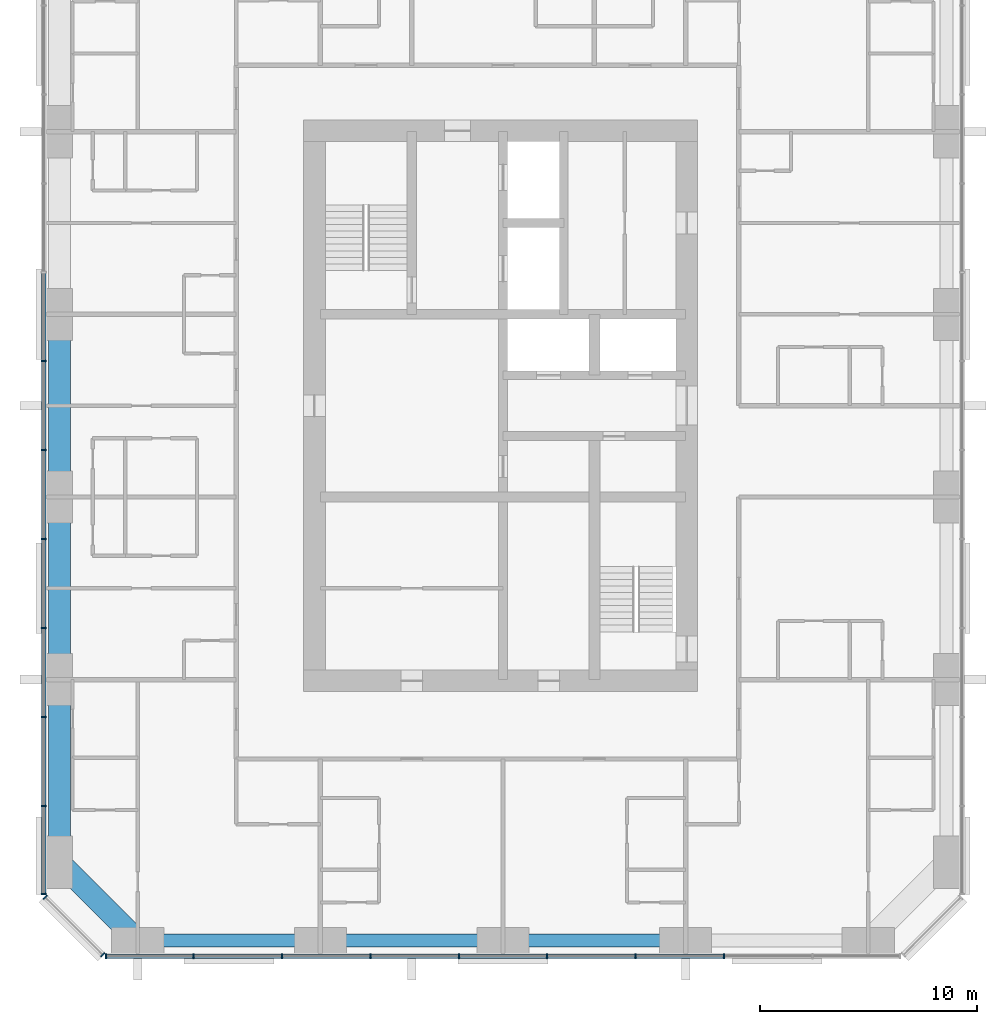
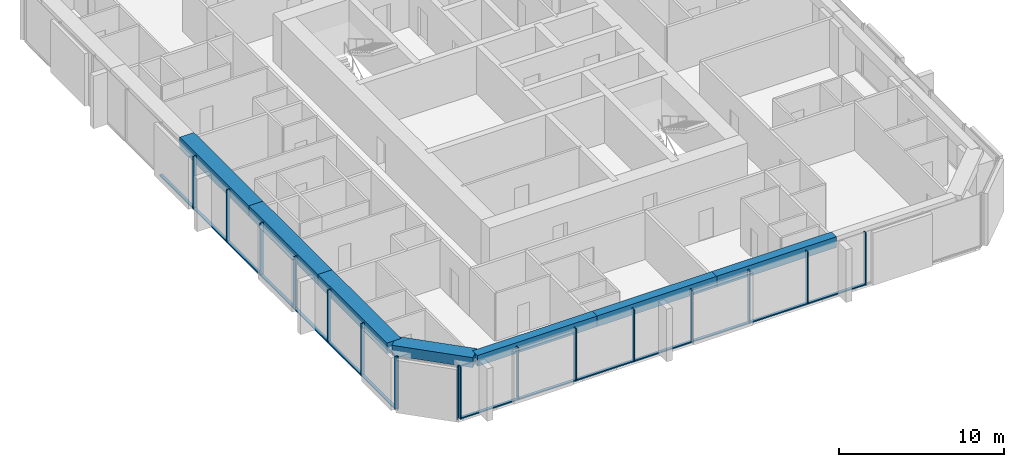
# One storey, part 2 of 12: 31 members, 7 beams, 3 elements without a shape of their own.
"""IFC4 building model written with IfcOpenShell, lengths in metres."""

from ifc_helpers import new_model, si_unit, direction, frame, origin, origin_2d, place, context, subcontext, project, spatial, rectangle, extrude, material, material_profile, profile_set, type_object, element, aggregate, save


model = new_model("IFC4")

# Units and contexts
model_context = context("Model", 3, precision=1e-05, world=origin(), true_north=direction((0.0, 1.0)))
body_context = subcontext(model_context, "Body", "Model", "MODEL_VIEW")
ifc_project = project(units=[si_unit("LENGTHUNIT", "METRE"), si_unit("AREAUNIT", "SQUARE_METRE"), si_unit("VOLUMEUNIT", "CUBIC_METRE"), si_unit("PLANEANGLEUNIT", "RADIAN"), si_unit("MASSUNIT", "GRAM", prefix="KILO")], contexts=[model_context])

# Site, building, storey
site_placement = place(None, origin())
site = spatial("IfcSite", under=ifc_project, at=site_placement, CompositionType="ELEMENT")
building_placement = place(site_placement, origin())
building = spatial("IfcBuilding", under=site, at=building_placement, Name="Dunama Terrace Hotel", CompositionType="ELEMENT")
storey_placement = place(building_placement, frame((0.0, 0.0, 229.5)))
storey = spatial("IfcBuildingStorey", under=building, at=storey_placement, Name="L59", CompositionType="ELEMENT", Elevation=229.5)

# Curtain wall, members
ifc_material_1 = material(Name="Aluminium curtain wall system", Category="aluminium")
curtain_wall_type = type_object("IfcCurtainWallType", Name="Unitised fritted glass wall CW-D", PredefinedType="NOTDEFINED", material=ifc_material_1)
curtain_wall_1_placement = place(storey_placement, origin())
curtain_wall_1 = element("IfcCurtainWall", 1, at=curtain_wall_1_placement, inside=storey, type_object=curtain_wall_type, Name="Unitised fritted glass wall CW-D L59", PredefinedType="NOTDEFINED")
ifc_material_2 = material(Name="Aluminium mullion", Category="aluminium")
ifc_material_profile_1 = material_profile(ifc_material_2, rectangle(XDim=0.070068359375, YDim=0.239990234375, at=origin_2d()), Name="CWD MULLION 70X240")
ifc_profile_set_1 = profile_set([ifc_material_profile_1], Name="Aluminium mullion")
member_type_1 = type_object("IfcMemberType", Name="CWD mullion 70x240", PredefinedType="MULLION", material=ifc_profile_set_1)
member_1_placement = place(storey_placement, frame((15.3349609375, 4.080078125, 0.0), z_axis=(0.0, 0.0, 1.0), x_axis=(1.0, 0.0, 0.0)))
member_1 = element("IfcMember", 2, at=member_1_placement, type_object=member_type_1, Name="CWD mullion", PredefinedType="MULLION", context=body_context, shape_type="SweptSolid", body=[
    extrude(rectangle(XDim=0.070068359375, YDim=0.239990234375, at=origin_2d()), origin(), (0.0, 0.0, 1.0), 3.89990234375),
])
member_2_placement = place(storey_placement, frame((19.366943359375, 4.080078125, 0.0), z_axis=(0.0, 0.0, 1.0), x_axis=(1.0, 0.0, 0.0)))
member_2 = element("IfcMember", 3, at=member_2_placement, type_object=member_type_1, Name="CWD mullion", PredefinedType="MULLION", context=body_context, shape_type="SweptSolid", body=[
    extrude(rectangle(XDim=0.070068359375, YDim=0.239990234375, at=origin_2d()), origin(), (0.0, 0.0, 1.0), 3.89990234375),
])
member_3_placement = place(storey_placement, frame((23.43310546875, 4.080078125, 0.0), z_axis=(0.0, 0.0, 1.0), x_axis=(1.0, 0.0, 0.0)))
member_3 = element("IfcMember", 4, at=member_3_placement, type_object=member_type_1, Name="CWD mullion", PredefinedType="MULLION", context=body_context, shape_type="SweptSolid", body=[
    extrude(rectangle(XDim=0.070068359375, YDim=0.239990234375, at=origin_2d()), origin(), (0.0, 0.0, 1.0), 3.89990234375),
])
member_4_placement = place(storey_placement, frame((27.5, 4.080078125, 0.0), z_axis=(0.0, 0.0, 1.0), x_axis=(1.0, 0.0, 0.0)))
member_4 = element("IfcMember", 5, at=member_4_placement, type_object=member_type_1, Name="CWD mullion", PredefinedType="MULLION", context=body_context, shape_type="SweptSolid", body=[
    extrude(rectangle(XDim=0.070068359375, YDim=0.239990234375, at=origin_2d()), origin(), (0.0, 0.0, 1.0), 3.89990234375),
])
member_5_placement = place(storey_placement, frame((31.56689453125, 4.080078125, 0.0), z_axis=(0.0, 0.0, 1.0), x_axis=(1.0, 0.0, 0.0)))
member_5 = element("IfcMember", 6, at=member_5_placement, type_object=member_type_1, Name="CWD mullion", PredefinedType="MULLION", context=body_context, shape_type="SweptSolid", body=[
    extrude(rectangle(XDim=0.070068359375, YDim=0.239990234375, at=origin_2d()), origin(), (0.0, 0.0, 1.0), 3.89990234375),
])
member_6_placement = place(storey_placement, frame((35.633056640625, 4.080078125, 0.0), z_axis=(0.0, 0.0, 1.0), x_axis=(1.0, 0.0, 0.0)))
member_6 = element("IfcMember", 7, at=member_6_placement, type_object=member_type_1, Name="CWD mullion", PredefinedType="MULLION", context=body_context, shape_type="SweptSolid", body=[
    extrude(rectangle(XDim=0.070068359375, YDim=0.239990234375, at=origin_2d()), origin(), (0.0, 0.0, 1.0), 3.89990234375),
])
member_7_placement = place(storey_placement, frame((39.699951171875, 4.080078125, 0.0), z_axis=(0.0, 0.0, 1.0), x_axis=(1.0, 0.0, 0.0)))
member_7 = element("IfcMember", 8, at=member_7_placement, type_object=member_type_1, Name="CWD mullion", PredefinedType="MULLION", context=body_context, shape_type="SweptSolid", body=[
    extrude(rectangle(XDim=0.070068359375, YDim=0.239990234375, at=origin_2d()), origin(), (0.0, 0.0, 1.0), 3.89990234375),
])
member_8_placement = place(storey_placement, frame((43.76708984375, 4.080078125, 0.0), z_axis=(0.0, 0.0, 1.0), x_axis=(1.0, 0.0, 0.0)))
member_8 = element("IfcMember", 9, at=member_8_placement, type_object=member_type_1, Name="CWD mullion", PredefinedType="MULLION", context=body_context, shape_type="SweptSolid", body=[
    extrude(rectangle(XDim=0.070068359375, YDim=0.239990234375, at=origin_2d()), origin(), (0.0, 0.0, 1.0), 3.89990234375),
])

curtain_wall_2_placement = place(storey_placement, origin())
curtain_wall_2 = element("IfcCurtainWall", 10, at=curtain_wall_2_placement, inside=storey, type_object=curtain_wall_type, Name="Unitised fritted glass wall CW-D L59", PredefinedType="NOTDEFINED")
member_9_placement = place(storey_placement, frame((12.47998046875, 31.445068359375, 0.0), z_axis=(0.0, 0.0, 1.0), x_axis=(0.0, -1.0, 0.0)))
member_9 = element("IfcMember", 11, at=member_9_placement, type_object=member_type_1, Name="CWD mullion", PredefinedType="MULLION", context=body_context, shape_type="SweptSolid", body=[
    extrude(rectangle(XDim=0.070068359375, YDim=0.239990234375, at=origin_2d()), origin(), (0.0, 0.0, 1.0), 3.89990234375),
])
member_10_placement = place(storey_placement, frame((12.47998046875, 27.35498046875, 0.0), z_axis=(0.0, 0.0, 1.0), x_axis=(0.0, -1.0, 0.0)))
member_10 = element("IfcMember", 12, at=member_10_placement, type_object=member_type_1, Name="CWD mullion", PredefinedType="MULLION", context=body_context, shape_type="SweptSolid", body=[
    extrude(rectangle(XDim=0.070068359375, YDim=0.239990234375, at=origin_2d()), origin(), (0.0, 0.0, 1.0), 3.89990234375),
])
member_11_placement = place(storey_placement, frame((12.47998046875, 23.263916015625, 0.0), z_axis=(0.0, 0.0, 1.0), x_axis=(0.0, -1.0, 0.0)))
member_11 = element("IfcMember", 13, at=member_11_placement, type_object=member_type_1, Name="CWD mullion", PredefinedType="MULLION", context=body_context, shape_type="SweptSolid", body=[
    extrude(rectangle(XDim=0.070068359375, YDim=0.239990234375, at=origin_2d()), origin(), (0.0, 0.0, 1.0), 3.89990234375),
])
member_12_placement = place(storey_placement, frame((12.47998046875, 19.173095703125, 0.0), z_axis=(0.0, 0.0, 1.0), x_axis=(0.0, -1.0, 0.0)))
member_12 = element("IfcMember", 14, at=member_12_placement, type_object=member_type_1, Name="CWD mullion", PredefinedType="MULLION", context=body_context, shape_type="SweptSolid", body=[
    extrude(rectangle(XDim=0.070068359375, YDim=0.239990234375, at=origin_2d()), origin(), (0.0, 0.0, 1.0), 3.89990234375),
])
member_13_placement = place(storey_placement, frame((12.47998046875, 15.08203125, 0.0), z_axis=(0.0, 0.0, 1.0), x_axis=(0.0, -1.0, 0.0)))
member_13 = element("IfcMember", 15, at=member_13_placement, type_object=member_type_1, Name="CWD mullion", PredefinedType="MULLION", context=body_context, shape_type="SweptSolid", body=[
    extrude(rectangle(XDim=0.070068359375, YDim=0.239990234375, at=origin_2d()), origin(), (0.0, 0.0, 1.0), 3.89990234375),
])
member_14_placement = place(storey_placement, frame((12.47998046875, 10.990966796875, 0.0), z_axis=(0.0, 0.0, 1.0), x_axis=(0.0, -1.0, 0.0)))
member_14 = element("IfcMember", 16, at=member_14_placement, type_object=member_type_1, Name="CWD mullion", PredefinedType="MULLION", context=body_context, shape_type="SweptSolid", body=[
    extrude(rectangle(XDim=0.070068359375, YDim=0.239990234375, at=origin_2d()), origin(), (0.0, 0.0, 1.0), 3.89990234375),
])
member_15_placement = place(storey_placement, frame((12.47998046875, 6.93505859375, 0.0), z_axis=(0.0, 0.0, 1.0), x_axis=(0.0, -1.0, 0.0)))
member_15 = element("IfcMember", 17, at=member_15_placement, type_object=member_type_1, Name="CWD mullion", PredefinedType="MULLION", context=body_context, shape_type="SweptSolid", body=[
    extrude(rectangle(XDim=0.070068359375, YDim=0.239990234375, at=origin_2d()), origin(), (0.0, 0.0, 1.0), 3.89990234375),
])

curtain_wall_3_placement = place(storey_placement, origin())
curtain_wall_3 = element("IfcCurtainWall", 18, at=curtain_wall_3_placement, inside=storey, type_object=curtain_wall_type, Name="Unitised fritted glass wall CW-D L59", PredefinedType="NOTDEFINED")
member_16_placement = place(storey_placement, frame((12.5400390625, 6.7900390625, 0.0), z_axis=(0.0, 0.0, 1.0), x_axis=(0.707106781187, -0.707106781187, 0.0)))
member_16 = element("IfcMember", 19, at=member_16_placement, type_object=member_type_1, Name="CWD mullion", PredefinedType="MULLION", context=body_context, shape_type="SweptSolid", body=[
    extrude(rectangle(XDim=0.070068359375, YDim=0.239990234375, at=origin_2d()), origin(), (0.0, 0.0, 1.0), 3.89990234375),
])
member_17_placement = place(storey_placement, frame((15.18994140625, 4.139892578125, 0.0), z_axis=(0.0, 0.0, 1.0), x_axis=(0.707106781187, -0.707106781187, 0.0)))
member_17 = element("IfcMember", 20, at=member_17_placement, type_object=member_type_1, Name="CWD mullion", PredefinedType="MULLION", context=body_context, shape_type="SweptSolid", body=[
    extrude(rectangle(XDim=0.070068359375, YDim=0.239990234375, at=origin_2d()), origin(), (0.0, 0.0, 1.0), 3.89990234375),
])
aggregate(curtain_wall_3, [member_16, member_17])

# Member
ifc_material_3 = material(Name="Aluminium transom", Category="aluminium")
ifc_material_profile_2 = material_profile(ifc_material_3, rectangle(XDim=0.199951171875, YDim=0.0849609375, at=origin_2d()), Name="CWD TRANSOM 200X85")
ifc_profile_set_2 = profile_set([ifc_material_profile_2], Name="Aluminium transom")
member_type_2 = type_object("IfcMemberType", Name="CWD transom 200x85", PredefinedType="USERDEFINED", material=ifc_profile_set_2)
member_18_placement = place(storey_placement, frame((15.3701171875, 4.080078125, 0.04248046875), z_axis=(1.0, 0.0, 0.0), x_axis=(0.0, 1.0, 0.0)))
member_18 = element("IfcMember", 21, at=member_18_placement, type_object=member_type_2, Name="CWD transom", ObjectType="TRANSOM", PredefinedType="USERDEFINED", context=body_context, shape_type="SweptSolid", body=[
    extrude(rectangle(XDim=0.199951171875, YDim=0.0849609375, at=origin_2d()), origin(), (0.0, 0.0, 1.0), 3.9619140625),
])

member_19_placement = place(storey_placement, frame((19.402099609375, 4.080078125, 0.04248046875), z_axis=(1.0, 0.0, 0.0), x_axis=(0.0, 1.0, 0.0)))
member_19 = element("IfcMember", 22, at=member_19_placement, type_object=member_type_2, Name="CWD transom", ObjectType="TRANSOM", PredefinedType="USERDEFINED", context=body_context, shape_type="SweptSolid", body=[
    extrude(rectangle(XDim=0.199951171875, YDim=0.0849609375, at=origin_2d()), origin(), (0.0, 0.0, 1.0), 3.995849609375),
])

member_20_placement = place(storey_placement, frame((23.468017578125, 4.080078125, 0.04248046875), z_axis=(1.0, 0.0, 0.0), x_axis=(0.0, 1.0, 0.0)))
member_20 = element("IfcMember", 23, at=member_20_placement, type_object=member_type_2, Name="CWD transom", ObjectType="TRANSOM", PredefinedType="USERDEFINED", context=body_context, shape_type="SweptSolid", body=[
    extrude(rectangle(XDim=0.199951171875, YDim=0.0849609375, at=origin_2d()), origin(), (0.0, 0.0, 1.0), 3.9970703125),
])

member_21_placement = place(storey_placement, frame((27.534912109375, 4.080078125, 0.04248046875), z_axis=(1.0, 0.0, 0.0), x_axis=(0.0, 1.0, 0.0)))
member_21 = element("IfcMember", 24, at=member_21_placement, type_object=member_type_2, Name="CWD transom", ObjectType="TRANSOM", PredefinedType="USERDEFINED", context=body_context, shape_type="SweptSolid", body=[
    extrude(rectangle(XDim=0.199951171875, YDim=0.0849609375, at=origin_2d()), origin(), (0.0, 0.0, 1.0), 3.9970703125),
])

member_22_placement = place(storey_placement, frame((31.60205078125, 4.080078125, 0.04248046875), z_axis=(1.0, 0.0, 0.0), x_axis=(0.0, 1.0, 0.0)))
member_22 = element("IfcMember", 25, at=member_22_placement, type_object=member_type_2, Name="CWD transom", ObjectType="TRANSOM", PredefinedType="USERDEFINED", context=body_context, shape_type="SweptSolid", body=[
    extrude(rectangle(XDim=0.199951171875, YDim=0.0849609375, at=origin_2d()), origin(), (0.0, 0.0, 1.0), 3.995849609375),
])

member_23_placement = place(storey_placement, frame((35.66796875, 4.080078125, 0.04248046875), z_axis=(1.0, 0.0, 0.0), x_axis=(0.0, 1.0, 0.0)))
member_23 = element("IfcMember", 26, at=member_23_placement, type_object=member_type_2, Name="CWD transom", ObjectType="TRANSOM", PredefinedType="USERDEFINED", context=body_context, shape_type="SweptSolid", body=[
    extrude(rectangle(XDim=0.199951171875, YDim=0.0849609375, at=origin_2d()), origin(), (0.0, 0.0, 1.0), 3.9970703125),
])

member_24_placement = place(storey_placement, frame((39.735107421875, 4.080078125, 0.04248046875), z_axis=(1.0, 0.0, 0.0), x_axis=(0.0, 1.0, 0.0)))
member_24 = element("IfcMember", 27, at=member_24_placement, type_object=member_type_2, Name="CWD transom", ObjectType="TRANSOM", PredefinedType="USERDEFINED", context=body_context, shape_type="SweptSolid", body=[
    extrude(rectangle(XDim=0.199951171875, YDim=0.0849609375, at=origin_2d()), origin(), (0.0, 0.0, 1.0), 3.996826171875),
])

aggregate(curtain_wall_1, [member_1, member_2, member_3, member_4, member_5, member_6, member_7, member_8, member_18, member_19, member_20, member_21, member_22, member_23, member_24])

member_25_placement = place(storey_placement, frame((12.47998046875, 35.5009765625, 0.04248046875), z_axis=(0.0, -1.0, 0.0), x_axis=(1.0, 0.0, 0.0)))
member_25 = element("IfcMember", 28, at=member_25_placement, type_object=member_type_2, Name="CWD transom", ObjectType="TRANSOM", PredefinedType="USERDEFINED", context=body_context, shape_type="SweptSolid", body=[
    extrude(rectangle(XDim=0.199951171875, YDim=0.0849609375, at=origin_2d()), origin(), (0.0, 0.0, 1.0), 4.02099609375),
])

member_26_placement = place(storey_placement, frame((12.47998046875, 31.409912109375, 0.04248046875), z_axis=(0.0, -1.0, 0.0), x_axis=(1.0, 0.0, 0.0)))
member_26 = element("IfcMember", 29, at=member_26_placement, type_object=member_type_2, Name="CWD transom", ObjectType="TRANSOM", PredefinedType="USERDEFINED", context=body_context, shape_type="SweptSolid", body=[
    extrude(rectangle(XDim=0.199951171875, YDim=0.0849609375, at=origin_2d()), origin(), (0.0, 0.0, 1.0), 4.02001953125),
])

member_27_placement = place(storey_placement, frame((12.47998046875, 27.320068359375, 0.04248046875), z_axis=(0.0, -1.0, 0.0), x_axis=(1.0, 0.0, 0.0)))
member_27 = element("IfcMember", 30, at=member_27_placement, type_object=member_type_2, Name="CWD transom", ObjectType="TRANSOM", PredefinedType="USERDEFINED", context=body_context, shape_type="SweptSolid", body=[
    extrude(rectangle(XDim=0.199951171875, YDim=0.0849609375, at=origin_2d()), origin(), (0.0, 0.0, 1.0), 4.02099609375),
])

member_28_placement = place(storey_placement, frame((12.47998046875, 23.22900390625, 0.04248046875), z_axis=(0.0, -1.0, 0.0), x_axis=(1.0, 0.0, 0.0)))
member_28 = element("IfcMember", 31, at=member_28_placement, type_object=member_type_2, Name="CWD transom", ObjectType="TRANSOM", PredefinedType="USERDEFINED", context=body_context, shape_type="SweptSolid", body=[
    extrude(rectangle(XDim=0.199951171875, YDim=0.0849609375, at=origin_2d()), origin(), (0.0, 0.0, 1.0), 4.02099609375),
])

member_29_placement = place(storey_placement, frame((12.47998046875, 19.137939453125, 0.04248046875), z_axis=(0.0, -1.0, 0.0), x_axis=(1.0, 0.0, 0.0)))
member_29 = element("IfcMember", 32, at=member_29_placement, type_object=member_type_2, Name="CWD transom", ObjectType="TRANSOM", PredefinedType="USERDEFINED", context=body_context, shape_type="SweptSolid", body=[
    extrude(rectangle(XDim=0.199951171875, YDim=0.0849609375, at=origin_2d()), origin(), (0.0, 0.0, 1.0), 4.02099609375),
])

member_30_placement = place(storey_placement, frame((12.47998046875, 15.047119140625, 0.04248046875), z_axis=(0.0, -1.0, 0.0), x_axis=(1.0, 0.0, 0.0)))
member_30 = element("IfcMember", 33, at=member_30_placement, type_object=member_type_2, Name="CWD transom", ObjectType="TRANSOM", PredefinedType="USERDEFINED", context=body_context, shape_type="SweptSolid", body=[
    extrude(rectangle(XDim=0.199951171875, YDim=0.0849609375, at=origin_2d()), origin(), (0.0, 0.0, 1.0), 4.021240234375),
])

member_31_placement = place(storey_placement, frame((12.47998046875, 10.9560546875, 0.04248046875), z_axis=(0.0, -1.0, 0.0), x_axis=(1.0, 0.0, 0.0)))
member_31 = element("IfcMember", 34, at=member_31_placement, type_object=member_type_2, Name="CWD transom", ObjectType="TRANSOM", PredefinedType="USERDEFINED", context=body_context, shape_type="SweptSolid", body=[
    extrude(rectangle(XDim=0.199951171875, YDim=0.0849609375, at=origin_2d()), origin(), (0.0, 0.0, 1.0), 3.986083984375),
])

aggregate(curtain_wall_2, [member_9, member_10, member_11, member_12, member_13, member_14, member_15, member_25, member_26, member_27, member_28, member_29, member_30, member_31])

# Beams
ifc_material_4 = material(Name="Concrete C50/60", Category="concrete")
ifc_material_profile_3 = material_profile(ifc_material_4, rectangle(XDim=1.0, YDim=0.75, at=origin_2d()), Name="RC 1000x750")
ifc_profile_set_3 = profile_set([ifc_material_profile_3], Name="Concrete C50/60")
beam_type_1 = type_object("IfcBeamType", Name="Edge beam RC 1000x750", PredefinedType="SPANDREL", material=ifc_profile_set_3)
beam_1_placement = place(storey_placement, frame((16.800048828125, 4.800048828125, 3.52490234375), z_axis=(-0.707130757816, 0.707082803744, 0.0), x_axis=(-0.707082803744, -0.707130757816, 0.0)))
element("IfcBeam", 35, at=beam_1_placement, inside=storey, type_object=beam_type_1, Name="Corner edge beam under L60", PredefinedType="SPANDREL", context=body_context, shape_type="SweptSolid", body=[
    extrude(rectangle(XDim=1.0, YDim=0.75, at=origin_2d()), origin(), (0.0, 0.0, 1.0), 5.091064453125),
])
ifc_material_5 = material(Name="Concrete C40/50", Category="concrete")
ifc_material_profile_4 = material_profile(ifc_material_5, rectangle(XDim=1.0, YDim=0.800048828125, at=origin_2d()), Name="RC 1000x800")
ifc_profile_set_4 = profile_set([ifc_material_profile_4], Name="Concrete C40/50")
beam_type_2 = type_object("IfcBeamType", Name="Edge beam RC 1000x800", PredefinedType="SPANDREL", material=ifc_profile_set_4)
beam_2_placement = place(storey_placement, frame((13.199951171875, 8.39990234375, 3.5), z_axis=(0.0, 1.0, 0.0), x_axis=(-1.0, 0.0, 0.0)))
element("IfcBeam", 36, at=beam_2_placement, inside=storey, type_object=beam_type_2, Name="Edge beam under L60", PredefinedType="SPANDREL", context=body_context, shape_type="SweptSolid", body=[
    extrude(rectangle(XDim=1.0, YDim=0.800048828125, at=origin_2d()), origin(), (0.0, 0.0, 1.0), 8.400146484375),
])
beam_3_placement = place(storey_placement, frame((13.199951171875, 16.800048828125, 3.5), z_axis=(0.0, 1.0, 0.0), x_axis=(-1.0, 0.0, 0.0)))
element("IfcBeam", 37, at=beam_3_placement, inside=storey, type_object=beam_type_2, Name="Edge beam under L60", PredefinedType="SPANDREL", context=body_context, shape_type="SweptSolid", body=[
    extrude(rectangle(XDim=1.0, YDim=0.800048828125, at=origin_2d()), origin(), (0.0, 0.0, 1.0), 8.39990234375),
])
beam_4_placement = place(storey_placement, frame((13.199951171875, 25.199951171875, 3.5), z_axis=(0.0, 1.0, 0.0), x_axis=(-1.0, 0.0, 0.0)))
element("IfcBeam", 38, at=beam_4_placement, inside=storey, type_object=beam_type_2, Name="Edge beam under L60", PredefinedType="SPANDREL", context=body_context, shape_type="SweptSolid", body=[
    extrude(rectangle(XDim=1.0, YDim=0.800048828125, at=origin_2d()), origin(), (0.0, 0.0, 1.0), 8.400146484375),
])
ifc_material_6 = material(Name="Concrete C40/50", Category="concrete")
ifc_material_profile_5 = material_profile(ifc_material_6, rectangle(XDim=0.60009765625, YDim=0.800048828125, at=origin_2d()), Name="RC 600x800")
ifc_profile_set_5 = profile_set([ifc_material_profile_5], Name="Concrete C40/50")
beam_type_3 = type_object("IfcBeamType", Name="Edge beam RC 600x800", PredefinedType="SPANDREL", material=ifc_profile_set_5)
beam_5_placement = place(storey_placement, frame((16.800048828125, 4.800048828125, 3.5), z_axis=(1.0, 0.0, 0.0), x_axis=(0.0, 1.0, 0.0)))
element("IfcBeam", 39, at=beam_5_placement, inside=storey, type_object=beam_type_3, Name="Edge beam under L60", PredefinedType="SPANDREL", context=body_context, shape_type="SweptSolid", body=[
    extrude(rectangle(XDim=0.60009765625, YDim=0.800048828125, at=origin_2d()), origin(), (0.0, 0.0, 1.0), 8.39990234375),
])
beam_6_placement = place(storey_placement, frame((25.199951171875, 4.800048828125, 3.5), z_axis=(1.0, 0.0, 0.0), x_axis=(0.0, 1.0, 0.0)))
element("IfcBeam", 40, at=beam_6_placement, inside=storey, type_object=beam_type_3, Name="Edge beam under L60", PredefinedType="SPANDREL", context=body_context, shape_type="SweptSolid", body=[
    extrude(rectangle(XDim=0.60009765625, YDim=0.800048828125, at=origin_2d()), origin(), (0.0, 0.0, 1.0), 8.400146484375),
])
beam_7_placement = place(storey_placement, frame((33.60009765625, 4.800048828125, 3.5), z_axis=(1.0, 0.0, 0.0), x_axis=(0.0, 1.0, 0.0)))
element("IfcBeam", 41, at=beam_7_placement, inside=storey, type_object=beam_type_3, Name="Edge beam under L60", PredefinedType="SPANDREL", context=body_context, shape_type="SweptSolid", body=[
    extrude(rectangle(XDim=0.60009765625, YDim=0.800048828125, at=origin_2d()), origin(), (0.0, 0.0, 1.0), 8.39990234375),
])

save(model, "model.ifc")
